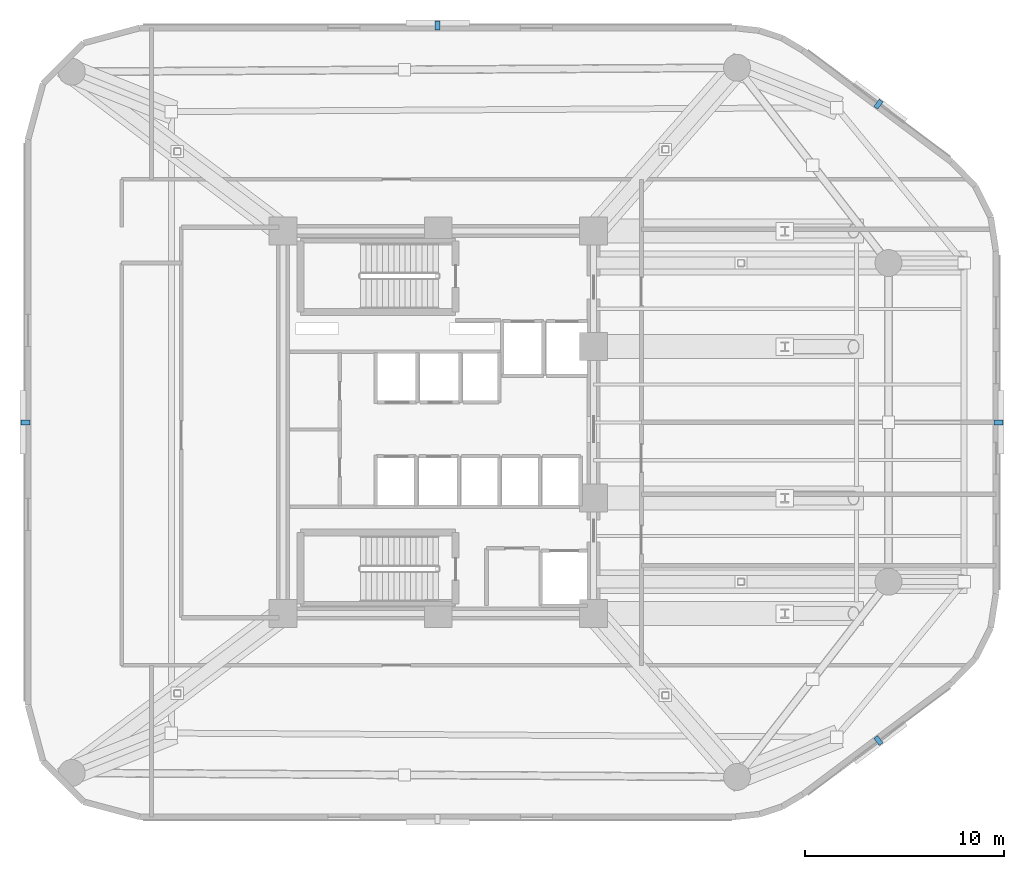
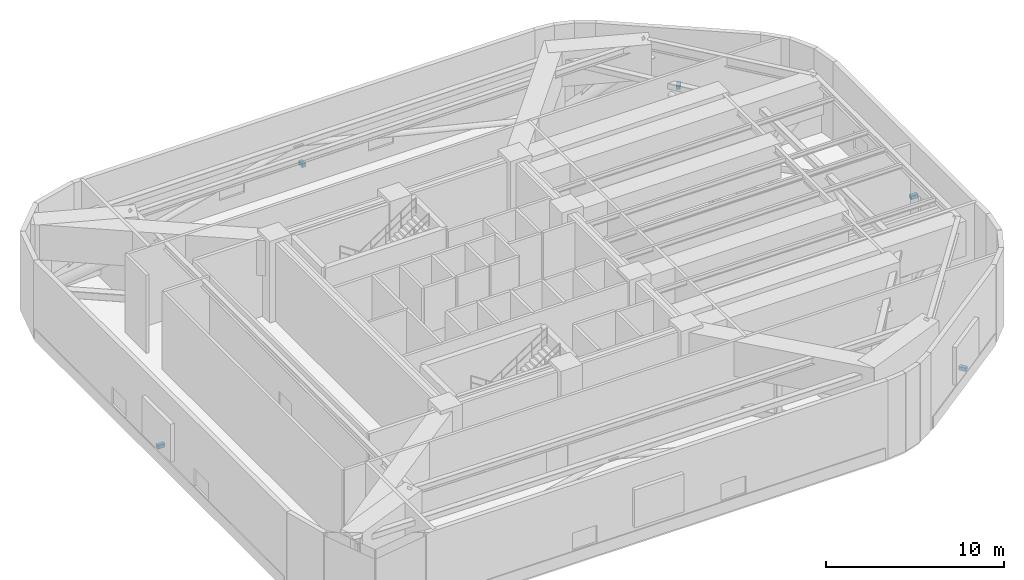
# One storey, part 8 of 10: 5 discrete accessories.
"""IFC4 building model written with IfcOpenShell, lengths in metres."""

from ifc_helpers import new_model, si_unit, direction, frame, origin, origin_2d, place, context, subcontext, project, spatial, rectangle, extrude, material, type_object, element, save


model = new_model("IFC4")

# Units and contexts
model_context = context("Model", 3, precision=1e-05, world=origin(), true_north=direction((0.0, 1.0)))
body_context = subcontext(model_context, "Body", "Model", "MODEL_VIEW")
ifc_project = project(units=[si_unit("LENGTHUNIT", "METRE"), si_unit("AREAUNIT", "SQUARE_METRE"), si_unit("VOLUMEUNIT", "CUBIC_METRE"), si_unit("PLANEANGLEUNIT", "RADIAN"), si_unit("MASSUNIT", "GRAM", prefix="KILO")], contexts=[model_context])

# Site, building, storey
site_placement = place(None, origin())
site = spatial("IfcSite", under=ifc_project, at=site_placement, CompositionType="ELEMENT")
building_placement = place(site_placement, origin())
building = spatial("IfcBuilding", under=site, at=building_placement, Name="An Khanh Terracotta Commons", CompositionType="ELEMENT")
storey_placement = place(building_placement, frame((0.0, 0.0, 133.10009765625)))
storey = spatial("IfcBuildingStorey", under=building, at=storey_placement, Name="L35", CompositionType="ELEMENT", Elevation=133.10009765625)

# Discrete accessories
ifc_material = material(Name="Stainless Steel Grade 316L", Category="steel")
discrete_accessory_type = type_object("IfcDiscreteAccessoryType", Name="Stainless Outrigger Facade Bracket", PredefinedType="BRACKET", material=ifc_material)
for number, where, z_axis, x_axis, name in (
    (1, (51.498046875, 8.02392578125, 1.1796875), (0.0, 0.0, 1.0), (0.800012856594, 0.599982857492, 0.0), "L35 Louvre Bracket 8"),
    (2, (57.52001953125, 24.0, 1.1796875), (0.0, 0.0, 1.0), (0.0, 1.0, 0.0), "L35 Louvre Bracket 12"),
    (3, (51.498046875, 39.97607421875, 1.1796875), (0.0, 0.0, 1.0), (-0.800012856594, 0.599982857492, 0.0), "L35 Louvre Bracket 16"),
    (4, (29.365966796875, 43.919921875, 1.1796875), (0.0, 0.0, 1.0), (-1.0, 0.0, 0.0), "L35 Louvre Bracket 20"),
    (5, (8.679931640625, 24.0, 1.1796875), (0.0, 0.0, 1.0), (0.0, -1.0, 0.0), "L35 Louvre Bracket 24"),
):
    element("IfcDiscreteAccessory", number, at=place(storey_placement, frame(where, z_axis=z_axis, x_axis=x_axis)), inside=storey, type_object=discrete_accessory_type, Name=name, PredefinedType="BRACKET", context=body_context, shape_type="SweptSolid", body=[
        extrude(rectangle(XDim=0.239990234375, YDim=0.449951171875, at=origin_2d()), origin(), (0.0, 0.0, 1.0), 0.239990234375),
    ])

save(model, "model.ifc")
